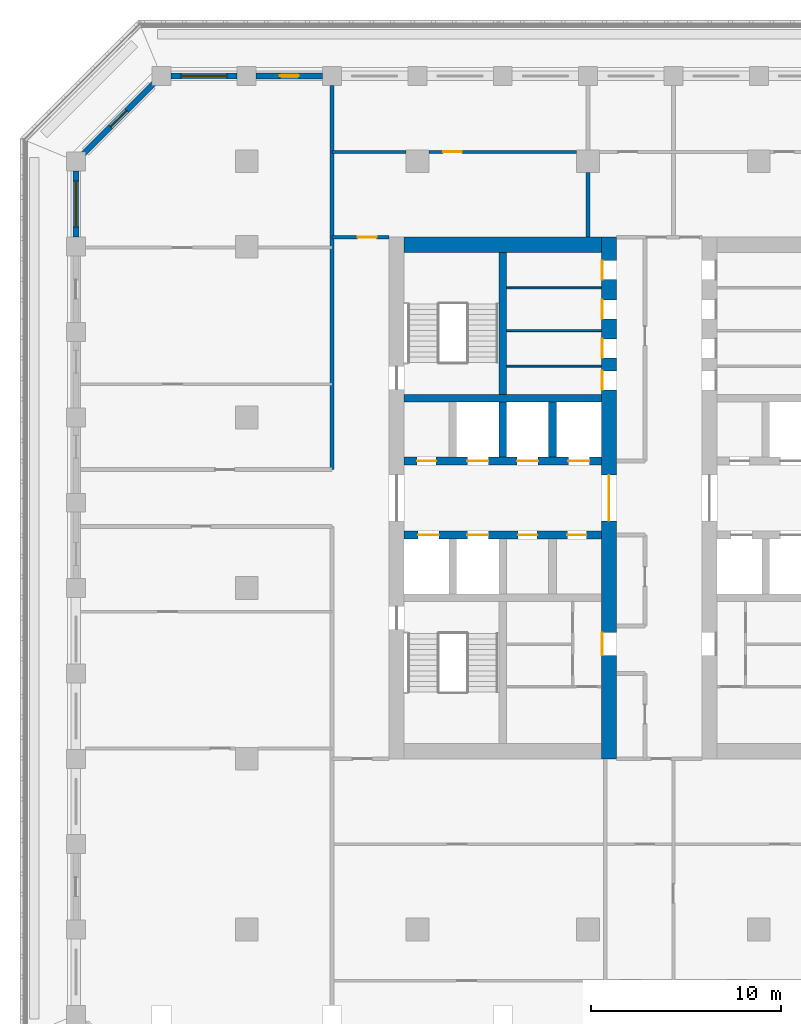
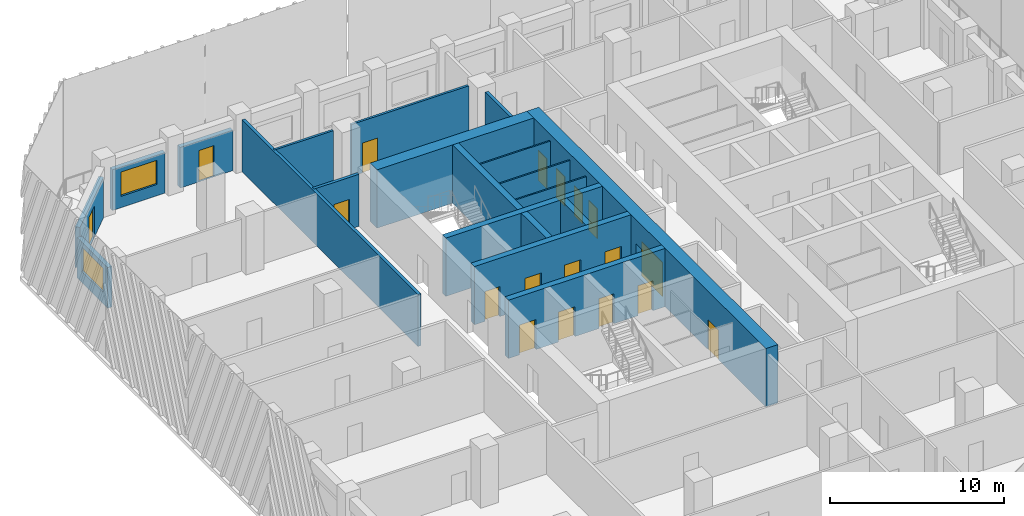
# One storey, part 6 of 17: 20 walls, 18 doors, 2 windows, 20 openings.
"""IFC4 building model written with IfcOpenShell, lengths in metres."""

from ifc_helpers import new_model, si_unit, direction, frame, frame_2d, origin, place, context, subcontext, project, spatial, rectangle, extrude, material, layer, layer_set, type_object, element, fill, save


model = new_model("IFC4")

# Units and contexts
model_context = context("Model", 3, precision=1e-05, world=origin(), true_north=direction((0.0, 1.0)))
body_context = subcontext(model_context, "Body", "Model", "MODEL_VIEW")
ifc_project = project(units=[si_unit("LENGTHUNIT", "METRE"), si_unit("AREAUNIT", "SQUARE_METRE"), si_unit("VOLUMEUNIT", "CUBIC_METRE"), si_unit("PLANEANGLEUNIT", "RADIAN"), si_unit("MASSUNIT", "GRAM", prefix="KILO")], contexts=[model_context])

# Site, building, storey
site_placement = place(None, origin())
site = spatial("IfcSite", under=ifc_project, at=site_placement, CompositionType="ELEMENT")
building_placement = place(site_placement, origin())
building = spatial("IfcBuilding", under=site, at=building_placement, Name="Corbel Stack Research Tower", CompositionType="ELEMENT")
storey_placement = place(building_placement, frame((0.0, 0.0, 156.800048828125)))
storey = spatial("IfcBuildingStorey", under=building, at=storey_placement, Name="L35", CompositionType="ELEMENT", Elevation=156.800048828125)

# Wall, openings, doors
ifc_material_1 = material(Name="Concrete C60/75", Category="concrete")
ifc_layer_1 = layer(ifc_material_1, 0.39990234375)
ifc_layer_set_1 = layer_set([ifc_layer_1], Name="Concrete C60/75")
wall_type_1 = type_object("IfcWallType", Name="CW-400-60", PredefinedType="SHEAR", material=ifc_layer_set_1)
wall_1_placement = place(storey_placement, frame((-9.699951171875, 2.800048828125, 0.0), z_axis=(0.0, 0.0, 1.0), x_axis=(1.0, 0.0, 0.0)))
wall_1 = element("IfcWall", 1, at=wall_1_placement, inside=storey, type_object=wall_type_1, Name="West core wall, lobby south L35", PredefinedType="SHEAR", context=body_context, shape_type="SweptSolid", body=[
    extrude(rectangle(XDim=10.39990234375, YDim=0.39990234375, at=frame_2d((5.199951171875, 0.0))), origin(), (0.0, 0.0, 1.0), 4.099853515625),
])
opening_1_placement = place(wall_1_placement, frame((0.737548828125, 0.0, 0.0)))
opening_1 = element("IfcOpeningElement", 2, at=opening_1_placement, cuts=wall_1, Name="Opening LD-FS1", PredefinedType="OPENING", context=body_context, shape_type="SweptSolid", body=[
    extrude(rectangle(XDim=1.10009765625, YDim=2.10009765625, at=frame_2d((0.550048828125, 1.050048828125))), frame((0.0, 0.2099609375, 0.0), z_axis=(0.0, -1.0, 0.0), x_axis=(1.0, 0.0, 0.0)), (0.0, 0.0, 1.0), 0.419921875),
])
opening_2_placement = place(wall_1_placement, frame((3.33740234375, 0.0, 0.0)))
opening_2 = element("IfcOpeningElement", 3, at=opening_2_placement, cuts=wall_1, Name="Opening LD-GL1", PredefinedType="OPENING", context=body_context, shape_type="SweptSolid", body=[
    extrude(rectangle(XDim=1.10009765625, YDim=2.10009765625, at=frame_2d((0.550048828125, 1.050048828125))), frame((0.0, 0.2099609375, 0.0), z_axis=(0.0, -1.0, 0.0), x_axis=(1.0, 0.0, 0.0)), (0.0, 0.0, 1.0), 0.419921875),
])
opening_3_placement = place(wall_1_placement, frame((6.012451171875, 0.0, 0.0)))
opening_3 = element("IfcOpeningElement", 4, at=opening_3_placement, cuts=wall_1, Name="Opening CR-W66-S3", PredefinedType="OPENING", context=body_context, shape_type="SweptSolid", body=[
    extrude(rectangle(XDim=1.0, YDim=2.10009765625, at=frame_2d((0.5, 1.050048828125))), frame((0.0, 0.2099609375, 0.0), z_axis=(0.0, -1.0, 0.0), x_axis=(1.0, 0.0, 0.0)), (0.0, 0.0, 1.0), 0.419921875),
])
opening_4_placement = place(wall_1_placement, frame((8.612548828125, 0.0, 0.0)))
opening_4 = element("IfcOpeningElement", 5, at=opening_4_placement, cuts=wall_1, Name="Opening CR-W66-S4", PredefinedType="OPENING", context=body_context, shape_type="SweptSolid", body=[
    extrude(rectangle(XDim=1.0, YDim=2.10009765625, at=frame_2d((0.5, 1.050048828125))), frame((0.0, 0.2099609375, 0.0), z_axis=(0.0, -1.0, 0.0), x_axis=(1.0, 0.0, 0.0)), (0.0, 0.0, 1.0), 0.419921875),
])
ifc_material_2 = material(Name="Stainless steel landing door", Category="steel")
door_type_1 = type_object("IfcDoorType", Name="Lift landing door 1100 x 2100", OperationType="DOUBLE_DOOR_SLIDING", PredefinedType="DOOR", material=ifc_material_2)
door_1_placement = place(opening_1_placement, origin())
door_1 = element("IfcDoor", 6, at=door_1_placement, inside=storey, type_object=door_type_1, Name="Landing door FS1", OperationType="DOUBLE_DOOR_SLIDING", OverallHeight=2.10009765625, OverallWidth=1.10009765625, PredefinedType="DOOR", context=body_context, shape_type="SweptSolid", body=[
    extrude(rectangle(XDim=1.10009765625, YDim=2.10009765625, at=frame_2d((0.550048828125, 1.050048828125))), frame((0.0, 0.02490234375, 0.0), z_axis=(0.0, -1.0, 0.0), x_axis=(1.0, 0.0, 0.0)), (0.0, 0.0, 1.0), 0.050048828125),
])
fill(opening_1, door_1)
door_2_placement = place(opening_2_placement, origin())
door_2 = element("IfcDoor", 7, at=door_2_placement, inside=storey, type_object=door_type_1, Name="Landing door GL1", OperationType="DOUBLE_DOOR_SLIDING", OverallHeight=2.10009765625, OverallWidth=1.10009765625, PredefinedType="DOOR", context=body_context, shape_type="SweptSolid", body=[
    extrude(rectangle(XDim=1.10009765625, YDim=2.10009765625, at=frame_2d((0.550048828125, 1.050048828125))), frame((0.0, 0.02490234375, 0.0), z_axis=(0.0, -1.0, 0.0), x_axis=(1.0, 0.0, 0.0)), (0.0, 0.0, 1.0), 0.050048828125),
])
fill(opening_2, door_2)
ifc_material_3 = material(Name="Painted steel door", Category="steel")
door_type_2 = type_object("IfcDoorType", Name="Service door 1000 x 2100 FD60 left hand", OperationType="SINGLE_SWING_LEFT", PredefinedType="DOOR", material=ifc_material_3)
door_3_placement = place(opening_3_placement, origin())
door_3 = element("IfcDoor", 8, at=door_3_placement, inside=storey, type_object=door_type_2, Name="Pantry door W core", OperationType="SINGLE_SWING_LEFT", OverallHeight=2.10009765625, OverallWidth=1.0, PredefinedType="DOOR", context=body_context, shape_type="SweptSolid", body=[
    extrude(rectangle(XDim=1.0, YDim=2.10009765625, at=frame_2d((0.5, 1.050048828125))), frame((0.0, 0.02490234375, 0.0), z_axis=(0.0, -1.0, 0.0), x_axis=(1.0, 0.0, 0.0)), (0.0, 0.0, 1.0), 0.050048828125),
])
fill(opening_3, door_3)
ifc_material_4 = material(Name="Painted steel door", Category="steel")
door_type_3 = type_object("IfcDoorType", Name="Service door 1000 x 2100 FD60 right hand", OperationType="SINGLE_SWING_RIGHT", PredefinedType="DOOR", material=ifc_material_4)
door_4_placement = place(opening_4_placement, origin())
door_4 = element("IfcDoor", 9, at=door_4_placement, inside=storey, type_object=door_type_3, Name="Staff WC door W core", OperationType="SINGLE_SWING_RIGHT", OverallHeight=2.10009765625, OverallWidth=1.0, PredefinedType="DOOR", context=body_context, shape_type="SweptSolid", body=[
    extrude(rectangle(XDim=1.0, YDim=2.10009765625, at=frame_2d((0.5, 1.050048828125))), frame((0.0, 0.02490234375, 0.0), z_axis=(0.0, -1.0, 0.0), x_axis=(1.0, 0.0, 0.0)), (0.0, 0.0, 1.0), 0.050048828125),
])
fill(opening_4, door_4)

wall_2_placement = place(storey_placement, frame((-9.699951171875, 6.699951171875, 0.0), z_axis=(0.0, 0.0, 1.0), x_axis=(1.0, 0.0, 0.0)))
wall_2 = element("IfcWall", 10, at=wall_2_placement, inside=storey, type_object=wall_type_1, Name="West core wall, lobby north L35", PredefinedType="SHEAR", context=body_context, shape_type="SweptSolid", body=[
    extrude(rectangle(XDim=10.39990234375, YDim=0.39990234375, at=frame_2d((5.199951171875, 0.0))), origin(), (0.0, 0.0, 1.0), 4.099853515625),
])
opening_5_placement = place(wall_2_placement, frame((3.33740234375, 0.0, 0.0)))
opening_5 = element("IfcOpeningElement", 11, at=opening_5_placement, cuts=wall_2, Name="Opening LD-HR1", PredefinedType="OPENING", context=body_context, shape_type="SweptSolid", body=[
    extrude(rectangle(XDim=1.10009765625, YDim=2.10009765625, at=frame_2d((0.550048828125, 1.050048828125))), frame((0.0, 0.2099609375, 0.0), z_axis=(0.0, -1.0, 0.0), x_axis=(1.0, 0.0, 0.0)), (0.0, 0.0, 1.0), 0.419921875),
])
opening_6_placement = place(wall_2_placement, frame((5.96240234375, 0.0, 0.0)))
opening_6 = element("IfcOpeningElement", 12, at=opening_6_placement, cuts=wall_2, Name="Opening LD-HR2", PredefinedType="OPENING", context=body_context, shape_type="SweptSolid", body=[
    extrude(rectangle(XDim=1.10009765625, YDim=2.10009765625, at=frame_2d((0.550048828125, 1.050048828125))), frame((0.0, 0.2099609375, 0.0), z_axis=(0.0, -1.0, 0.0), x_axis=(1.0, 0.0, 0.0)), (0.0, 0.0, 1.0), 0.419921875),
])
opening_7_placement = place(wall_2_placement, frame((8.66259765625, 0.0, 0.0)))
opening_7 = element("IfcOpeningElement", 13, at=opening_7_placement, cuts=wall_2, Name="Opening LD-HR3", PredefinedType="OPENING", context=body_context, shape_type="SweptSolid", body=[
    extrude(rectangle(XDim=1.10009765625, YDim=2.10009765625, at=frame_2d((0.550048828125, 1.050048828125))), frame((0.0, 0.2099609375, 0.0), z_axis=(0.0, -1.0, 0.0), x_axis=(1.0, 0.0, 0.0)), (0.0, 0.0, 1.0), 0.419921875),
])
opening_8_placement = place(wall_2_placement, frame((0.6875, 0.0, 0.0)))
opening_8 = element("IfcOpeningElement", 14, at=opening_8_placement, cuts=wall_2, Name="Opening CR-W66-N1", PredefinedType="OPENING", context=body_context, shape_type="SweptSolid", body=[
    extrude(rectangle(XDim=1.0, YDim=2.10009765625, at=frame_2d((0.5, 1.050048828125))), frame((0.0, 0.2099609375, 0.0), z_axis=(0.0, -1.0, 0.0), x_axis=(1.0, 0.0, 0.0)), (0.0, 0.0, 1.0), 0.419921875),
])
door_5_placement = place(opening_5_placement, origin())
door_5 = element("IfcDoor", 15, at=door_5_placement, inside=storey, type_object=door_type_1, Name="Landing door HR1", OperationType="DOUBLE_DOOR_SLIDING", OverallHeight=2.10009765625, OverallWidth=1.10009765625, PredefinedType="DOOR", context=body_context, shape_type="SweptSolid", body=[
    extrude(rectangle(XDim=1.10009765625, YDim=2.10009765625, at=frame_2d((0.550048828125, 1.050048828125))), frame((0.0, 0.02490234375, 0.0), z_axis=(0.0, -1.0, 0.0), x_axis=(1.0, 0.0, 0.0)), (0.0, 0.0, 1.0), 0.050048828125),
])
fill(opening_5, door_5)
door_6_placement = place(opening_6_placement, origin())
door_6 = element("IfcDoor", 16, at=door_6_placement, inside=storey, type_object=door_type_1, Name="Landing door HR2", OperationType="DOUBLE_DOOR_SLIDING", OverallHeight=2.10009765625, OverallWidth=1.10009765625, PredefinedType="DOOR", context=body_context, shape_type="SweptSolid", body=[
    extrude(rectangle(XDim=1.10009765625, YDim=2.10009765625, at=frame_2d((0.550048828125, 1.050048828125))), frame((0.0, 0.02490234375, 0.0), z_axis=(0.0, -1.0, 0.0), x_axis=(1.0, 0.0, 0.0)), (0.0, 0.0, 1.0), 0.050048828125),
])
fill(opening_6, door_6)
door_7_placement = place(opening_7_placement, origin())
door_7 = element("IfcDoor", 17, at=door_7_placement, inside=storey, type_object=door_type_1, Name="Landing door HR3", OperationType="DOUBLE_DOOR_SLIDING", OverallHeight=2.10009765625, OverallWidth=1.10009765625, PredefinedType="DOOR", context=body_context, shape_type="SweptSolid", body=[
    extrude(rectangle(XDim=1.10009765625, YDim=2.10009765625, at=frame_2d((0.550048828125, 1.050048828125))), frame((0.0, 0.02490234375, 0.0), z_axis=(0.0, -1.0, 0.0), x_axis=(1.0, 0.0, 0.0)), (0.0, 0.0, 1.0), 0.050048828125),
])
fill(opening_7, door_7)
door_8_placement = place(opening_8_placement, origin())
door_8 = element("IfcDoor", 18, at=door_8_placement, inside=storey, type_object=door_type_2, Name="Laboratory consumables store door W core", OperationType="SINGLE_SWING_LEFT", OverallHeight=2.10009765625, OverallWidth=1.0, PredefinedType="DOOR", context=body_context, shape_type="SweptSolid", body=[
    extrude(rectangle(XDim=1.0, YDim=2.10009765625, at=frame_2d((0.5, 1.050048828125))), frame((0.0, 0.02490234375, 0.0), z_axis=(0.0, -1.0, 0.0), x_axis=(1.0, 0.0, 0.0)), (0.0, 0.0, 1.0), 0.050048828125),
])
fill(opening_8, door_8)

# Walls
wall_3_placement = place(storey_placement, frame((-9.699951171875, 10.0, 0.0), z_axis=(0.0, 0.0, 1.0), x_axis=(1.0, 0.0, 0.0)))
element("IfcWall", 19, at=wall_3_placement, inside=storey, type_object=wall_type_1, Name="West core wall, north row back L35", PredefinedType="SHEAR", context=body_context, shape_type="SweptSolid", body=[
    extrude(rectangle(XDim=10.39990234375, YDim=0.39990234375, at=frame_2d((5.199951171875, 0.0))), origin(), (0.0, 0.0, 1.0), 4.099853515625),
])
for number, where, z_axis, x_axis, name in (
    (20, (-4.5, 6.89990234375, 0.0), (0.0, 0.0, 1.0), (0.0, 1.0, 0.0), "West core wall, north shaft 2 L35"),
    (21, (-1.875, 6.89990234375, 0.0), (0.0, 0.0, 1.0), (0.0, 1.0, 0.0), "West core wall, north shaft 3 L35"),
):
    element("IfcWall", number, at=place(storey_placement, frame(where, z_axis=z_axis, x_axis=x_axis)), inside=storey, type_object=wall_type_1, Name=name, PredefinedType="SHEAR", context=body_context, shape_type="SweptSolid", body=[
        extrude(rectangle(XDim=2.900146484375, YDim=0.39990234375, at=frame_2d((1.4501953125, 0.0))), origin(), (0.0, 0.0, 1.0), 4.099853515625),
    ])
wall_4_placement = place(storey_placement, frame((-4.5, 10.199951171875, 0.0), z_axis=(0.0, 0.0, 1.0), x_axis=(0.0, 1.0, 0.0)))
element("IfcWall", 22, at=wall_4_placement, inside=storey, type_object=wall_type_1, Name="West core wall, north stair and riser L35", PredefinedType="SHEAR", context=body_context, shape_type="SweptSolid", body=[
    extrude(rectangle(XDim=7.5, YDim=0.39990234375, at=frame_2d((3.75, 0.0))), origin(), (0.0, 0.0, 1.0), 4.099853515625),
])

# Wall, openings, doors
ifc_material_5 = material(Name="Concrete C60/75", Category="concrete")
ifc_layer_2 = layer(ifc_material_5, 0.800048828125)
ifc_layer_set_2 = layer_set([ifc_layer_2], Name="Concrete C60/75")
wall_type_2 = type_object("IfcWallType", Name="CW-800-60", PredefinedType="SHEAR", material=ifc_layer_set_2)
wall_5_placement = place(storey_placement, frame((1.10009765625, -9.0, 0.0), z_axis=(0.0, 0.0, 1.0), x_axis=(0.0, 1.0, 0.0)))
wall_5 = element("IfcWall", 23, at=wall_5_placement, inside=storey, type_object=wall_type_2, Name="West core wall, east face L35", PredefinedType="SHEAR", context=body_context, shape_type="SweptSolid", body=[
    extrude(rectangle(XDim=27.5, YDim=0.800048828125, at=frame_2d((13.75, 0.0))), origin(), (0.0, 0.0, 1.0), 4.099853515625),
])
opening_9_placement = place(wall_5_placement, frame((12.550048828125, 0.0, 0.0)))
opening_9 = element("IfcOpeningElement", 24, at=opening_9_placement, cuts=wall_5, Name="Opening CD-W-E", PredefinedType="OPENING", context=body_context, shape_type="SweptSolid", body=[
    extrude(rectangle(XDim=2.39990234375, YDim=2.39990234375, at=frame_2d((1.199951171875, 1.199951171875))), frame((0.0, 0.409912109375, 0.0), z_axis=(0.0, -1.0, 0.0), x_axis=(1.0, 0.0, 0.0)), (0.0, 0.0, 1.0), 0.820068359375),
])
opening_10_placement = place(wall_5_placement, frame((5.449951171875, 0.0, 0.0)))
opening_10 = element("IfcOpeningElement", 25, at=opening_10_placement, cuts=wall_5, Name="Opening CR-W66-W1-1200", PredefinedType="OPENING", context=body_context, shape_type="SweptSolid", body=[
    extrude(rectangle(XDim=1.199951171875, YDim=2.10009765625, at=frame_2d((0.60009765625, 1.050048828125))), frame((0.0, 0.409912109375, 0.0), z_axis=(0.0, -1.0, 0.0), x_axis=(1.0, 0.0, 0.0)), (0.0, 0.0, 1.0), 0.820068359375),
])
opening_11_placement = place(wall_5_placement, frame((19.449951171875, 0.0, 0.0)))
opening_11 = element("IfcOpeningElement", 26, at=opening_11_placement, cuts=wall_5, Name="Opening CR-W66-R1-1000", PredefinedType="OPENING", context=body_context, shape_type="SweptSolid", body=[
    extrude(rectangle(XDim=1.0, YDim=2.10009765625, at=frame_2d((0.5, 1.050048828125))), frame((0.0, 0.409912109375, 0.0), z_axis=(0.0, -1.0, 0.0), x_axis=(1.0, 0.0, 0.0)), (0.0, 0.0, 1.0), 0.820068359375),
])
opening_12_placement = place(wall_5_placement, frame((21.137451171875, 0.0, 0.0)))
opening_12 = element("IfcOpeningElement", 27, at=opening_12_placement, cuts=wall_5, Name="Opening CR-W66-R2-1000", PredefinedType="OPENING", context=body_context, shape_type="SweptSolid", body=[
    extrude(rectangle(XDim=1.0, YDim=2.10009765625, at=frame_2d((0.5, 1.050048828125))), frame((0.0, 0.409912109375, 0.0), z_axis=(0.0, -1.0, 0.0), x_axis=(1.0, 0.0, 0.0)), (0.0, 0.0, 1.0), 0.820068359375),
])
opening_13_placement = place(wall_5_placement, frame((23.199951171875, 0.0, 0.0)))
opening_13 = element("IfcOpeningElement", 28, at=opening_13_placement, cuts=wall_5, Name="Opening CR-W66-R3-1000", PredefinedType="OPENING", context=body_context, shape_type="SweptSolid", body=[
    extrude(rectangle(XDim=1.0, YDim=2.10009765625, at=frame_2d((0.5, 1.050048828125))), frame((0.0, 0.409912109375, 0.0), z_axis=(0.0, -1.0, 0.0), x_axis=(1.0, 0.0, 0.0)), (0.0, 0.0, 1.0), 0.820068359375),
])
opening_14_placement = place(wall_5_placement, frame((25.262451171875, 0.0, 0.0)))
opening_14 = element("IfcOpeningElement", 29, at=opening_14_placement, cuts=wall_5, Name="Opening CR-W66-R4-1000", PredefinedType="OPENING", context=body_context, shape_type="SweptSolid", body=[
    extrude(rectangle(XDim=1.0, YDim=2.10009765625, at=frame_2d((0.5, 1.050048828125))), frame((0.0, 0.409912109375, 0.0), z_axis=(0.0, -1.0, 0.0), x_axis=(1.0, 0.0, 0.0)), (0.0, 0.0, 1.0), 0.820068359375),
])
ifc_material_6 = material(Name="Painted steel fire door", Category="steel")
door_type_4 = type_object("IfcDoorType", Name="Lobby door pair 2400 x 2400 FD30S", OperationType="DOUBLE_DOOR_DOUBLE_SWING", PredefinedType="DOOR", material=ifc_material_6)
door_9_placement = place(opening_9_placement, origin())
door_9 = element("IfcDoor", 30, at=door_9_placement, inside=storey, type_object=door_type_4, Name="Lift lobby door W core E", OperationType="DOUBLE_DOOR_DOUBLE_SWING", OverallHeight=2.39990234375, OverallWidth=2.39990234375, PredefinedType="DOOR", context=body_context, shape_type="SweptSolid", body=[
    extrude(rectangle(XDim=2.39990234375, YDim=2.39990234375, at=frame_2d((1.199951171875, 1.199951171875))), frame((0.0, 0.02490234375, 0.0), z_axis=(0.0, -1.0, 0.0), x_axis=(1.0, 0.0, 0.0)), (0.0, 0.0, 1.0), 0.050048828125),
])
fill(opening_9, door_9)
ifc_material_7 = material(Name="Painted steel door", Category="steel")
door_type_5 = type_object("IfcDoorType", Name="Riser door 1000 x 2100 FD60 left hand", OperationType="SINGLE_SWING_LEFT", PredefinedType="DOOR", material=ifc_material_7)
door_10_placement = place(opening_11_placement, origin())
door_10 = element("IfcDoor", 31, at=door_10_placement, inside=storey, type_object=door_type_5, Name="Electrical riser door W core", OperationType="SINGLE_SWING_LEFT", OverallHeight=2.10009765625, OverallWidth=1.0, PredefinedType="DOOR", context=body_context, shape_type="SweptSolid", body=[
    extrude(rectangle(XDim=1.0, YDim=2.10009765625, at=frame_2d((0.5, 1.050048828125))), frame((0.0, 0.375, 0.0), z_axis=(0.0, -1.0, 0.0), x_axis=(1.0, 0.0, 0.0)), (0.0, 0.0, 1.0), 0.050048828125),
])
fill(opening_11, door_10)
ifc_material_8 = material(Name="Painted steel door", Category="steel")
door_type_6 = type_object("IfcDoorType", Name="Riser door 1000 x 2100 FD60 right hand", OperationType="SINGLE_SWING_RIGHT", PredefinedType="DOOR", material=ifc_material_8)
door_11_placement = place(opening_12_placement, origin())
door_11 = element("IfcDoor", 32, at=door_11_placement, inside=storey, type_object=door_type_6, Name="Telecom room door W core", OperationType="SINGLE_SWING_RIGHT", OverallHeight=2.10009765625, OverallWidth=1.0, PredefinedType="DOOR", context=body_context, shape_type="SweptSolid", body=[
    extrude(rectangle(XDim=1.0, YDim=2.10009765625, at=frame_2d((0.5, 1.050048828125))), frame((0.0, 0.375, 0.0), z_axis=(0.0, -1.0, 0.0), x_axis=(1.0, 0.0, 0.0)), (0.0, 0.0, 1.0), 0.050048828125),
])
fill(opening_12, door_11)
ifc_material_9 = material(Name="Painted steel door", Category="steel")
door_type_7 = type_object("IfcDoorType", Name="Service door 1000 x 2100 FD30 left hand", OperationType="SINGLE_SWING_LEFT", PredefinedType="DOOR", material=ifc_material_9)
door_12_placement = place(opening_13_placement, origin())
door_12 = element("IfcDoor", 33, at=door_12_placement, inside=storey, type_object=door_type_7, Name="Pantry door W core", OperationType="SINGLE_SWING_LEFT", OverallHeight=2.10009765625, OverallWidth=1.0, PredefinedType="DOOR", context=body_context, shape_type="SweptSolid", body=[
    extrude(rectangle(XDim=1.0, YDim=2.10009765625, at=frame_2d((0.5, 1.050048828125))), frame((0.0, 0.375, 0.0), z_axis=(0.0, -1.0, 0.0), x_axis=(1.0, 0.0, 0.0)), (0.0, 0.0, 1.0), 0.050048828125),
])
fill(opening_13, door_12)
ifc_material_10 = material(Name="Painted steel door", Category="steel")
door_type_8 = type_object("IfcDoorType", Name="Service door 1000 x 2100 FD30 right hand", OperationType="SINGLE_SWING_RIGHT", PredefinedType="DOOR", material=ifc_material_10)
door_13_placement = place(opening_14_placement, origin())
door_13 = element("IfcDoor", 34, at=door_13_placement, inside=storey, type_object=door_type_8, Name="Cleaner's store door W core", OperationType="SINGLE_SWING_RIGHT", OverallHeight=2.10009765625, OverallWidth=1.0, PredefinedType="DOOR", context=body_context, shape_type="SweptSolid", body=[
    extrude(rectangle(XDim=1.0, YDim=2.10009765625, at=frame_2d((0.5, 1.050048828125))), frame((0.0, 0.375, 0.0), z_axis=(0.0, -1.0, 0.0), x_axis=(1.0, 0.0, 0.0)), (0.0, 0.0, 1.0), 0.050048828125),
])
fill(opening_14, door_13)
ifc_material_11 = material(Name="Painted timber door", Category="wood")
door_type_9 = type_object("IfcDoorType", Name="WC door 1200 x 2100 left hand", OperationType="SINGLE_SWING_LEFT", PredefinedType="DOOR", material=ifc_material_11)
door_14_placement = place(opening_10_placement, origin())
door_14 = element("IfcDoor", 35, at=door_14_placement, inside=storey, type_object=door_type_9, Name="WC lobby door W core", OperationType="SINGLE_SWING_LEFT", OverallHeight=2.10009765625, OverallWidth=1.199951171875, PredefinedType="DOOR", context=body_context, shape_type="SweptSolid", body=[
    extrude(rectangle(XDim=1.199951171875, YDim=2.10009765625, at=frame_2d((0.60009765625, 1.050048828125))), frame((0.0, 0.375, 0.0), z_axis=(0.0, -1.0, 0.0), x_axis=(1.0, 0.0, 0.0)), (0.0, 0.0, 1.0), 0.050048828125),
])
fill(opening_10, door_14)

# Walls
wall_6_placement = place(storey_placement, frame((-9.699951171875, 18.10009765625, 0.0), z_axis=(0.0, 0.0, 1.0), x_axis=(1.0, 0.0, 0.0)))
element("IfcWall", 36, at=wall_6_placement, inside=storey, type_object=wall_type_2, Name="West core wall, north end L35", PredefinedType="SHEAR", context=body_context, shape_type="SweptSolid", body=[
    extrude(rectangle(XDim=10.39990234375, YDim=0.800048828125, at=frame_2d((5.199951171875, 0.0))), origin(), (0.0, 0.0, 1.0), 4.099853515625),
])
ifc_material_12 = material(Name="Gypsum board")
ifc_layer_3 = layer(ifc_material_12, 0.10009765625)
ifc_layer_set_3 = layer_set([ifc_layer_3], Name="Gypsum board")
wall_type_3 = type_object("IfcWallType", Name="Core partition 100", PredefinedType="PARTITIONING", material=ifc_layer_set_3)
for number, where, z_axis, x_axis, name in (
    (37, (-4.300048828125, 11.699951171875, 0.0), (0.0, 0.0, 1.0), (1.0, 0.0, 0.0), "Core partition W"),
    (38, (-4.300048828125, 13.574951171875, 0.0), (0.0, 0.0, 1.0), (1.0, 0.0, 0.0), "Core partition W"),
    (39, (-4.300048828125, 15.824951171875, 0.0), (0.0, 0.0, 1.0), (1.0, 0.0, 0.0), "Core partition W"),
):
    element("IfcWall", number, at=place(storey_placement, frame(where, z_axis=z_axis, x_axis=x_axis)), inside=storey, type_object=wall_type_3, Name=name, PredefinedType="PARTITIONING", context=body_context, shape_type="SweptSolid", body=[
        extrude(rectangle(XDim=5.0, YDim=0.10009765625, at=frame_2d((2.5, 0.0))), origin(), (0.0, 0.0, 1.0), 3.64990234375),
    ])
ifc_material_13 = material(Name="Fire-rated gypsum board partition on steel studs", Category="steel")
ifc_layer_4 = layer(ifc_material_13, 0.199951171875)
ifc_layer_set_4 = layer_set([ifc_layer_4], Name="Fire-rated gypsum board partition on steel studs")
wall_type_4 = type_object("IfcWallType", Name="Fire-rated partition 200 EI 60", PredefinedType="PARTITIONING", material=ifc_layer_set_4)
wall_7_placement = place(storey_placement, frame((-13.5, 6.25, 0.0), z_axis=(0.0, 0.0, 1.0), x_axis=(0.0, 1.0, 0.0)))
element("IfcWall", 40, at=wall_7_placement, inside=storey, type_object=wall_type_4, Name="Partition L35-003", PredefinedType="PARTITIONING", context=body_context, shape_type="SweptSolid", body=[
    extrude(rectangle(XDim=20.25, YDim=0.199951171875, at=frame_2d((10.125, 0.0))), origin(), (0.0, 0.0, 1.0), 3.64990234375),
])
wall_8_placement = place(storey_placement, frame((0.0, 18.5, 0.0), z_axis=(0.0, 0.0, 1.0), x_axis=(0.0, 1.0, 0.0)))
element("IfcWall", 41, at=wall_8_placement, inside=storey, type_object=wall_type_4, Name="Partition L35-004", PredefinedType="PARTITIONING", context=body_context, shape_type="SweptSolid", body=[
    extrude(rectangle(XDim=3.39990234375, YDim=0.199951171875, at=frame_2d((1.699951171875, 0.0))), origin(), (0.0, 0.0, 1.0), 3.64990234375),
])

# Wall, opening, door
wall_9_placement = place(storey_placement, frame((-13.5, 18.5, 0.0), z_axis=(0.0, 0.0, 1.0), x_axis=(1.0, 0.0, 0.0)))
wall_9 = element("IfcWall", 42, at=wall_9_placement, inside=storey, type_object=wall_type_4, Name="Partition L35-043", PredefinedType="PARTITIONING", context=body_context, shape_type="SweptSolid", body=[
    extrude(rectangle(XDim=3.0, YDim=0.199951171875, at=frame_2d((1.5, 0.0))), origin(), (0.0, 0.0, 1.0), 3.64990234375),
])
opening_15_placement = place(wall_9_placement, frame((1.35009765625, 0.0, 0.0)))
opening_15 = element("IfcOpeningElement", 43, at=opening_15_placement, cuts=wall_9, Name="Opening B5V0H-026", PredefinedType="OPENING", context=body_context, shape_type="SweptSolid", body=[
    extrude(rectangle(XDim=1.0, YDim=2.10009765625, at=frame_2d((0.5, 1.050048828125))), frame((0.0, 0.10986328125, 0.0), z_axis=(0.0, -1.0, 0.0), x_axis=(1.0, 0.0, 0.0)), (0.0, 0.0, 1.0), 0.219970703125),
])
ifc_material_14 = material(Name="Painted steel fire door", Category="steel")
door_type_10 = type_object("IfcDoorType", Name="Fire door FD30S 1000 x 2100", OperationType="NOTDEFINED", PredefinedType="DOOR", material=ifc_material_14)
door_15_placement = place(opening_15_placement, origin())
door_15 = element("IfcDoor", 44, at=door_15_placement, inside=storey, type_object=door_type_10, Name="Door B5V0H-026", OperationType="SINGLE_SWING_RIGHT", OverallHeight=2.10009765625, OverallWidth=1.0, PredefinedType="DOOR", context=body_context, shape_type="SweptSolid", body=[
    extrude(rectangle(XDim=1.0, YDim=2.10009765625, at=frame_2d((0.5, 1.050048828125))), frame((0.0, 0.02490234375, 0.0), z_axis=(0.0, -1.0, 0.0), x_axis=(1.0, 0.0, 0.0)), (0.0, 0.0, 1.0), 0.050048828125),
])
fill(opening_15, door_15)

# Wall
ifc_material_15 = material(Name="Gypsum board partition on steel studs", Category="steel")
ifc_layer_5 = layer(ifc_material_15, 0.14990234375)
ifc_layer_set_5 = layer_set([ifc_layer_5], Name="Gypsum board partition on steel studs")
wall_type_5 = type_object("IfcWallType", Name="Partition 150", PredefinedType="PARTITIONING", material=ifc_layer_set_5)
wall_10_placement = place(storey_placement, frame((-13.5, 23.0, 0.0), z_axis=(0.0, 0.0, 1.0), x_axis=(1.0, 0.0, 0.0)))
element("IfcWall", 45, at=wall_10_placement, inside=storey, type_object=wall_type_5, Name="Partition L35-046", PredefinedType="PARTITIONING", context=body_context, shape_type="SweptSolid", body=[
    extrude(rectangle(XDim=3.89990234375, YDim=0.14990234375, at=frame_2d((1.949951171875, 0.0))), origin(), (0.0, 0.0, 1.0), 3.64990234375),
])

# Wall, opening, door
wall_11_placement = place(storey_placement, frame((-8.39990234375, 23.0, 0.0), z_axis=(0.0, 0.0, 1.0), x_axis=(1.0, 0.0, 0.0)))
wall_11 = element("IfcWall", 46, at=wall_11_placement, inside=storey, type_object=wall_type_5, Name="Partition L35-047", PredefinedType="PARTITIONING", context=body_context, shape_type="SweptSolid", body=[
    extrude(rectangle(XDim=7.7998046875, YDim=0.14990234375, at=frame_2d((3.89990234375, 0.0))), origin(), (0.0, 0.0, 1.0), 3.64990234375),
])
opening_16_placement = place(wall_11_placement, frame((0.75, 0.0, 0.0)))
opening_16 = element("IfcOpeningElement", 47, at=opening_16_placement, cuts=wall_11, Name="Opening B5V0H-032", PredefinedType="OPENING", context=body_context, shape_type="SweptSolid", body=[
    extrude(rectangle(XDim=1.0, YDim=2.10009765625, at=frame_2d((0.5, 1.050048828125))), frame((0.0, 0.0849609375, 0.0), z_axis=(0.0, -1.0, 0.0), x_axis=(1.0, 0.0, 0.0)), (0.0, 0.0, 1.0), 0.169921875),
])
ifc_material_16 = material(Name="Painted timber door", Category="wood")
door_type_11 = type_object("IfcDoorType", Name="Single door 1000 x 2100", OperationType="NOTDEFINED", PredefinedType="DOOR", material=ifc_material_16)
door_16_placement = place(opening_16_placement, origin())
door_16 = element("IfcDoor", 48, at=door_16_placement, inside=storey, type_object=door_type_11, Name="Door B5V0H-032", OperationType="SINGLE_SWING_LEFT", OverallHeight=2.10009765625, OverallWidth=1.0, PredefinedType="DOOR", context=body_context, shape_type="SweptSolid", body=[
    extrude(rectangle(XDim=1.0, YDim=2.10009765625, at=frame_2d((0.5, 1.050048828125))), frame((0.0, 0.02490234375, 0.0), z_axis=(0.0, -1.0, 0.0), x_axis=(1.0, 0.0, 0.0)), (0.0, 0.0, 1.0), 0.050048828125),
])
fill(opening_16, door_16)

ifc_material_17 = material(Name="Concrete C45/55", Category="concrete")
ifc_layer_6 = layer(ifc_material_17, 0.300048828125)
ifc_layer_set_6 = layer_set([ifc_layer_6], Name="Concrete C45/55")
wall_type_6 = type_object("IfcWallType", Name="Terracotta-faced concrete wall 300", PredefinedType="SOLIDWALL", material=ifc_layer_set_6)
wall_12_placement = place(storey_placement, frame((-17.5, 27.0, 0.0), z_axis=(0.0, 0.0, 1.0), x_axis=(1.0, 0.0, 0.0)))
wall_12 = element("IfcWall", 49, at=wall_12_placement, inside=storey, type_object=wall_type_6, Name="Facade wall L35 N09", PredefinedType="SOLIDWALL", context=body_context, shape_type="SweptSolid", body=[
    extrude(rectangle(XDim=3.5, YDim=0.300048828125, at=frame_2d((1.75, 0.0))), origin(), (0.0, 0.0, 1.0), 2.849853515625),
])
opening_17_placement = place(wall_12_placement, frame((1.25, 0.0, 0.0)))
opening_17 = element("IfcOpeningElement", 50, at=opening_17_placement, cuts=wall_12, Name="Opening L35-B08", PredefinedType="OPENING", context=body_context, shape_type="SweptSolid", body=[
    extrude(rectangle(XDim=1.0, YDim=2.199951171875, at=frame_2d((0.5, 1.10009765625))), frame((0.0, 0.159912109375, 0.0), z_axis=(0.0, -1.0, 0.0), x_axis=(1.0, 0.0, 0.0)), (0.0, 0.0, 1.0), 0.320068359375),
])
ifc_material_18 = material(Name="Aluminium frame, clear double glazing", Category="aluminium")
door_type_12 = type_object("IfcDoorType", Name="Balcony door BD1 1000 x 2200", OperationType="NOTDEFINED", PredefinedType="DOOR", material=ifc_material_18)
door_17_placement = place(opening_17_placement, origin())
door_17 = element("IfcDoor", 51, at=door_17_placement, inside=storey, type_object=door_type_12, Name="Balcony door L35-B08", OperationType="SINGLE_SWING_RIGHT", OverallHeight=2.199951171875, OverallWidth=1.0, PredefinedType="DOOR", context=body_context, shape_type="SweptSolid", body=[
    extrude(rectangle(XDim=1.0, YDim=2.199951171875, at=frame_2d((0.5, 1.10009765625))), frame((0.0, 0.02490234375, 0.0), z_axis=(0.0, -1.0, 0.0), x_axis=(1.0, 0.0, 0.0)), (0.0, 0.0, 1.0), 0.050048828125),
])
fill(opening_17, door_17)

# Wall, opening, window
wall_13_placement = place(storey_placement, frame((-22.0, 27.0, 0.0), z_axis=(0.0, 0.0, 1.0), x_axis=(1.0, 0.0, 0.0)))
wall_13 = element("IfcWall", 52, at=wall_13_placement, inside=storey, type_object=wall_type_6, Name="Facade wall L35 N10", PredefinedType="SOLIDWALL", context=body_context, shape_type="SweptSolid", body=[
    extrude(rectangle(XDim=3.5, YDim=0.300048828125, at=frame_2d((1.75, 0.0))), origin(), (0.0, 0.0, 1.0), 2.849853515625),
])
opening_18_placement = place(wall_13_placement, frame((0.550048828125, 0.0, 0.800048828125)))
opening_18 = element("IfcOpeningElement", 53, at=opening_18_placement, cuts=wall_13, Name="Opening W1", PredefinedType="OPENING", context=body_context, shape_type="SweptSolid", body=[
    extrude(rectangle(XDim=2.39990234375, YDim=1.699951171875, at=frame_2d((1.199951171875, 0.85009765625))), frame((0.0, 0.159912109375, 0.0), z_axis=(0.0, -1.0, 0.0), x_axis=(1.0, 0.0, 0.0)), (0.0, 0.0, 1.0), 0.320068359375),
])
ifc_material_19 = material(Name="Aluminium frame, clear double glazing", Category="aluminium")
window_type = type_object("IfcWindowType", Name="Window W1 2400 x 1700", PartitioningType="SINGLE_PANEL", PredefinedType="WINDOW", material=ifc_material_19)
window_1_placement = place(opening_18_placement, origin())
window_1 = element("IfcWindow", 54, at=window_1_placement, inside=storey, type_object=window_type, Name="Window W1 L35 N10", OverallHeight=1.699951171875, OverallWidth=2.39990234375, PartitioningType="SINGLE_PANEL", PredefinedType="WINDOW", context=body_context, shape_type="SweptSolid", body=[
    extrude(rectangle(XDim=2.39990234375, YDim=1.699951171875, at=frame_2d((1.199951171875, 0.85009765625))), frame((0.0, 0.030029296875, 0.0), z_axis=(0.0, -1.0, 0.0), x_axis=(1.0, 0.0, 0.0)), (0.0, 0.0, 1.0), 0.06005859375),
])
fill(opening_18, window_1)

# Wall, opening, door
wall_14_placement = place(storey_placement, frame((-26.606201171875, 22.893798828125, 0.0), z_axis=(0.0, 0.0, 1.0), x_axis=(0.707106781187, 0.707106781187, 0.0)))
wall_14 = element("IfcWall", 55, at=wall_14_placement, inside=storey, type_object=wall_type_6, Name="Facade wall L35 NW01", PredefinedType="SOLIDWALL", context=body_context, shape_type="SweptSolid", body=[
    extrude(rectangle(XDim=5.250244140625, YDim=0.300048828125, at=frame_2d((2.625, 0.0))), origin(), (0.0, 0.0, 1.0), 2.849853515625),
])
opening_19_placement = place(wall_14_placement, frame((2.02490234375, 0.0, 0.0)))
opening_19 = element("IfcOpeningElement", 56, at=opening_19_placement, cuts=wall_14, Name="Opening L35-B09", PredefinedType="OPENING", context=body_context, shape_type="SweptSolid", body=[
    extrude(rectangle(XDim=1.199951171875, YDim=2.199951171875, at=frame_2d((0.60009765625, 1.10009765625))), frame((0.0, 0.159912109375, 0.0), z_axis=(0.0, -1.0, 0.0), x_axis=(1.0, 0.0, 0.0)), (0.0, 0.0, 1.0), 0.320068359375),
])
ifc_material_20 = material(Name="Aluminium frame, clear double glazing", Category="aluminium")
door_type_13 = type_object("IfcDoorType", Name="Balcony door BD2 1200 x 2200", OperationType="NOTDEFINED", PredefinedType="DOOR", material=ifc_material_20)
door_18_placement = place(opening_19_placement, origin())
door_18 = element("IfcDoor", 57, at=door_18_placement, inside=storey, type_object=door_type_13, Name="Balcony door L35-B09", OperationType="SINGLE_SWING_RIGHT", OverallHeight=2.199951171875, OverallWidth=1.199951171875, PredefinedType="DOOR", context=body_context, shape_type="SweptSolid", body=[
    extrude(rectangle(XDim=1.199951171875, YDim=2.199951171875, at=frame_2d((0.60009765625, 1.10009765625))), frame((0.0, 0.02490234375, 0.0), z_axis=(0.0, -1.0, 0.0), x_axis=(1.0, 0.0, 0.0)), (0.0, 0.0, 1.0), 0.050048828125),
])
fill(opening_19, door_18)

# Wall, opening, window
wall_15_placement = place(storey_placement, frame((-27.0, 18.5, 0.0), z_axis=(0.0, 0.0, 1.0), x_axis=(0.0, 1.0, 0.0)))
wall_15 = element("IfcWall", 58, at=wall_15_placement, inside=storey, type_object=wall_type_6, Name="Facade wall L35 W01", PredefinedType="SOLIDWALL", context=body_context, shape_type="SweptSolid", body=[
    extrude(rectangle(XDim=3.5, YDim=0.300048828125, at=frame_2d((1.75, 0.0))), origin(), (0.0, 0.0, 1.0), 2.849853515625),
])
opening_20_placement = place(wall_15_placement, frame((0.550048828125, 0.0, 0.800048828125)))
opening_20 = element("IfcOpeningElement", 59, at=opening_20_placement, cuts=wall_15, Name="Opening W1", PredefinedType="OPENING", context=body_context, shape_type="SweptSolid", body=[
    extrude(rectangle(XDim=2.39990234375, YDim=1.699951171875, at=frame_2d((1.199951171875, 0.85009765625))), frame((0.0, 0.159912109375, 0.0), z_axis=(0.0, -1.0, 0.0), x_axis=(1.0, 0.0, 0.0)), (0.0, 0.0, 1.0), 0.320068359375),
])
window_2_placement = place(opening_20_placement, origin())
window_2 = element("IfcWindow", 60, at=window_2_placement, inside=storey, type_object=window_type, Name="Window W1 L35 W01", OverallHeight=1.699951171875, OverallWidth=2.39990234375, PartitioningType="SINGLE_PANEL", PredefinedType="WINDOW", context=body_context, shape_type="SweptSolid", body=[
    extrude(rectangle(XDim=2.39990234375, YDim=1.699951171875, at=frame_2d((1.199951171875, 0.85009765625))), frame((0.0, 0.030029296875, 0.0), z_axis=(0.0, -1.0, 0.0), x_axis=(1.0, 0.0, 0.0)), (0.0, 0.0, 1.0), 0.06005859375),
])
fill(opening_20, window_2)

save(model, "model.ifc")
